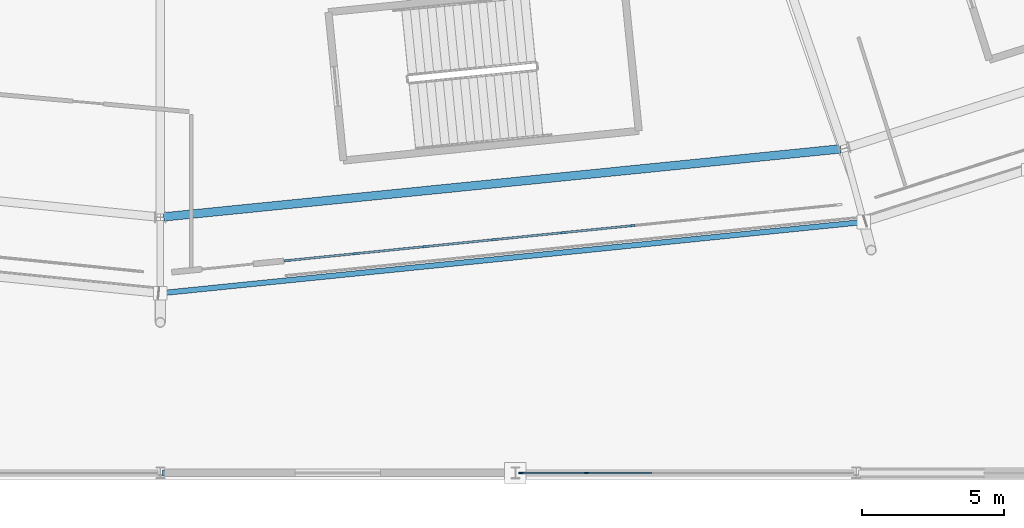
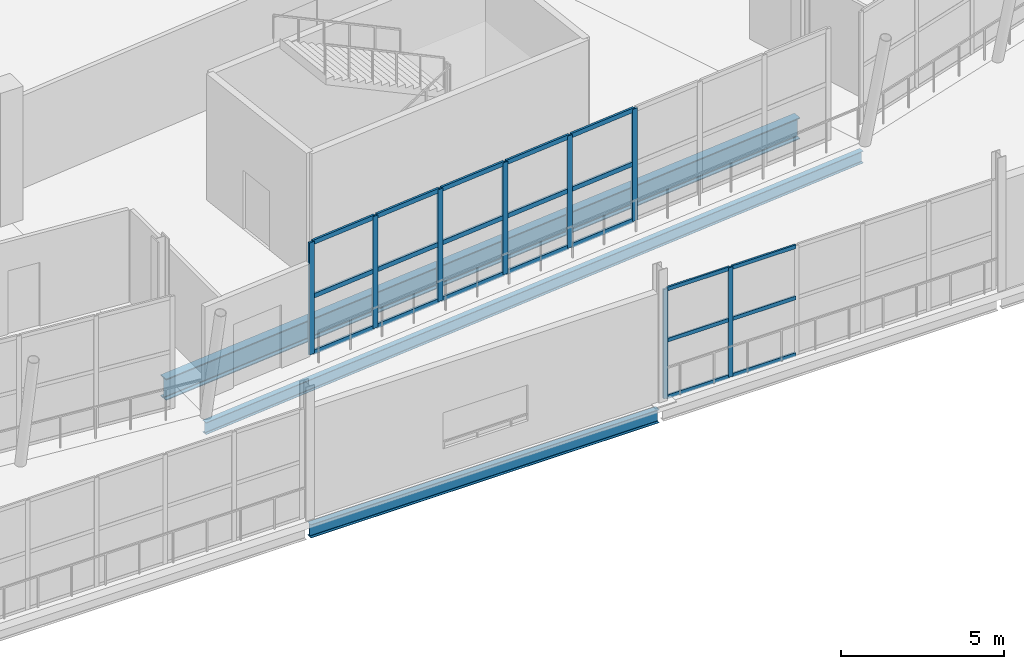
# One storey, part 37 of 179: 29 members, 3 beams, 2 elements without a shape of their own.
"""IFC4 building model written with IfcOpenShell, lengths in metres."""

import ifcopenshell
import ifcopenshell.guid

model = None  # the IFC model being written
_history = None  # IfcOwnerHistory: only IFC2X3 demands one
_inside = {}  # id of a spatial element -> (the spatial element, [elements in it])
_under = {}  # id of a project, library or spatial element -> (it, [spatial elements below it])
_declared = {}  # id of a project -> (the project, [libraries it declares])
_typed = {}  # id of a type object -> (the type object, [elements of that type])
_made_of = {}  # id of a material, layer set ... -> (it, [elements and type objects made of it])


def new_model(schema):
    """Start an empty IFC model of exactly this schema.

    Asked for "IFC4X3", IfcOpenShell would pick the latest addendum, in which some entities
    have other attributes; the version numbers below select the first issue.
    IFC2X3 requires an IfcOwnerHistory on every rooted entity: one is made here for all.
    """
    global model, _history
    if schema == "IFC4X3":
        model = ifcopenshell.file(schema_version=(4, 3, 0, 0))
    else:
        model = ifcopenshell.file(schema=schema)
    _inside.clear()
    _under.clear()
    _declared.clear()
    _typed.clear()
    _made_of.clear()
    _history = None
    if model.schema == "IFC2X3":
        org = make("IfcOrganization", Name="unknown")
        user = make(
            "IfcPersonAndOrganization",
            ThePerson=make("IfcPerson", FamilyName="unknown"),
            TheOrganization=org,
        )
        app = make(
            "IfcApplication",
            ApplicationDeveloper=org,
            Version="unknown",
            ApplicationFullName="unknown",
            ApplicationIdentifier="unknown",
        )
        _history = make(
            "IfcOwnerHistory",
            OwningUser=user,
            OwningApplication=app,
            ChangeAction="ADDED",
            CreationDate=0,
        )
    return model


def make(cls, **values):
    """One entity of the class cls with the attributes given. An attribute that is None is left unset."""
    return model.create_entity(
        cls, **{name: value for name, value in values.items() if value is not None}
    )


def rooted(cls, **values):
    """An entity with a GlobalId (a new one), such as an element, a storey or a relation."""
    return make(cls, GlobalId=ifcopenshell.guid.new(), OwnerHistory=_history, **values)


def si_unit(unit_type, name, prefix=None):
    """IfcSIUnit, for example si_unit("LENGTHUNIT", "METRE", prefix="MILLI")."""
    return make("IfcSIUnit", UnitType=unit_type, Prefix=prefix, Name=name)


def assignment(units):
    """IfcUnitAssignment: the units of a project."""
    return None if units is None else make("IfcUnitAssignment", Units=units)


def point(xyz):
    """IfcCartesianPoint."""
    return None if xyz is None else make("IfcCartesianPoint", Coordinates=xyz)


def direction(xyz):
    """IfcDirection."""
    return None if xyz is None else make("IfcDirection", DirectionRatios=xyz)


def frame(location, z_axis=None, x_axis=None):
    """IfcAxis2Placement3D, a coordinate frame: its origin and axes. An axis left out is left unset."""
    return make(
        "IfcAxis2Placement3D",
        Location=point(location),
        Axis=direction(z_axis),
        RefDirection=direction(x_axis),
    )


def frame_2d(location, x_axis=None):
    """IfcAxis2Placement2D, a coordinate frame in the plane: its origin and x axis."""
    return make(
        "IfcAxis2Placement2D", Location=point(location), RefDirection=direction(x_axis)
    )


def origin():
    """The frame at (0, 0, 0) with its axes left unset."""
    return frame((0.0, 0.0, 0.0))


def origin_2d():
    """The frame at (0, 0) in the plane with its x axis left unset."""
    return frame_2d((0.0, 0.0))


def place(relative_to, where):
    """IfcLocalPlacement: puts the frame where relative to a parent placement (None: the world)."""
    return make(
        "IfcLocalPlacement", PlacementRelTo=relative_to, RelativePlacement=where
    )


def context(
    kind, dimensions, precision=None, world=None, true_north=None, identifier=None
):
    """IfcGeometricRepresentationContext, for example the 3D "Model" context."""
    return make(
        "IfcGeometricRepresentationContext",
        ContextIdentifier=identifier,
        ContextType=kind,
        CoordinateSpaceDimension=dimensions,
        Precision=precision,
        WorldCoordinateSystem=world,
        TrueNorth=true_north,
    )


def subcontext(parent, identifier, kind, view, scale=None):
    """IfcGeometricRepresentationSubContext, for example "Body" below "Model"."""
    return make(
        "IfcGeometricRepresentationSubContext",
        ContextIdentifier=identifier,
        ContextType=kind,
        ParentContext=parent,
        TargetScale=scale,
        TargetView=view,
    )


def project(units=None, contexts=None):
    """IfcProject with its units and contexts."""
    return rooted(
        "IfcProject",
        Name="project",
        RepresentationContexts=contexts,
        UnitsInContext=assignment(units),
    )


def spatial(cls, under=None, at=None, **own):
    """A site, building, storey or space (cls), placed at a placement, below another one or the project."""
    s = rooted(cls, ObjectPlacement=at, **own)
    if under is not None:
        _under.setdefault(under.id(), (under, []))[1].append(s)
    return s


def profile(cls, at=None, kind="AREA", **sizes):
    """A parametric profile (cls). Its sizes go by their IFC names, for example OverallWidth=200.0."""
    return make(cls, ProfileType=kind, Position=at, **sizes)


def rectangle(**sizes):
    """IfcRectangleProfileDef."""
    return profile("IfcRectangleProfileDef", **sizes)


def i_section(**sizes):
    """IfcIShapeProfileDef."""
    return profile("IfcIShapeProfileDef", **sizes)


def extrude(swept, where, along, depth):
    """IfcExtrudedAreaSolid: the profile swept, set in the frame where, extruded along a direction by depth."""
    return make(
        "IfcExtrudedAreaSolid",
        SweptArea=swept,
        Position=where,
        ExtrudedDirection=direction(along),
        Depth=depth,
    )


def shape(context_of_items, identifier, shape_type, items):
    """IfcShapeRepresentation: the items that make up one representation, for example the "Body"."""
    return make(
        "IfcShapeRepresentation",
        ContextOfItems=context_of_items,
        RepresentationIdentifier=identifier,
        RepresentationType=shape_type,
        Items=items,
    )


def material(Name=None, Category=None):
    """IfcMaterial."""
    return make("IfcMaterial", Name=Name, Category=Category)


def material_profile(
    of_material, cross_section, Name=None, Category=None, Priority=None
):
    """IfcMaterialProfile: a cross section and its material."""
    return make(
        "IfcMaterialProfile",
        Name=Name,
        Material=of_material,
        Profile=cross_section,
        Priority=Priority,
        Category=Category,
    )


def profile_set(profiles, Name=None, composite=None):
    """IfcMaterialProfileSet."""
    return make(
        "IfcMaterialProfileSet",
        Name=Name,
        MaterialProfiles=profiles,
        CompositeProfile=composite,
    )


def made_of(thing, what):
    """Note that an element or type object is made of a material, layer set ...; save() writes the relation."""
    if what is not None:
        _made_of.setdefault(what.id(), (what, []))[1].append(thing)
    return thing


def type_object(cls, material=None, **own):
    """A type object (cls), such as IfcWallType, which elements share."""
    return made_of(rooted(cls, **own), material)


def element(
    cls,
    number,
    at=None,
    inside=None,
    cuts=None,
    type_object=None,
    material=None,
    context=None,
    identifier="Body",
    shape_type=None,
    held_by="IfcProductDefinitionShape",
    body=None,
    shapes=None,
    **own,
):
    """One element of the class cls, such as IfcWall. Its Tag is "e" and its number.

    at: its placement. inside: the storey or other place that contains it. cuts: it is an
    opening in that element (IfcRelVoidsElement). A single representation is given by context,
    identifier, shape_type and body (its items); several are given by shapes. held_by: the class
    of the entity that holds the representations. save() writes the other relations.
    """
    e = rooted(cls, Tag="e%d" % number, ObjectPlacement=at, **own)
    if body is not None:
        shapes = [shape(context, identifier, shape_type, body)]
    if shapes is not None:
        e.Representation = make(held_by, Representations=shapes)
    if inside is not None:
        _inside.setdefault(inside.id(), (inside, []))[1].append(e)
    if cuts is not None:
        rooted(
            "IfcRelVoidsElement", RelatingBuildingElement=cuts, RelatedOpeningElement=e
        )
    if type_object is not None:
        _typed.setdefault(type_object.id(), (type_object, []))[1].append(e)
    return made_of(e, material)


def aggregate(whole, parts):
    """IfcRelAggregates: a whole, such as a stair, and the parts it consists of."""
    return rooted("IfcRelAggregates", RelatingObject=whole, RelatedObjects=parts)


def save(model, path):
    """Write the relations noted so far, then the file.

    IfcRelAggregates (storeys below a building ...), IfcRelContainedInSpatialStructure (elements
    in a storey), IfcRelDefinesByType, IfcRelAssociatesMaterial and IfcRelDeclares: one each for
    every whole, place, type object, material and project.
    """
    for whole, parts in _under.values():
        aggregate(whole, parts)
    for where, things in _inside.values():
        rooted(
            "IfcRelContainedInSpatialStructure",
            RelatedElements=things,
            RelatingStructure=where,
        )
    for kind, things in _typed.values():
        rooted("IfcRelDefinesByType", RelatedObjects=things, RelatingType=kind)
    for what, things in _made_of.values():
        rooted("IfcRelAssociatesMaterial", RelatedObjects=things, RelatingMaterial=what)
    for by, libraries in _declared.values():
        rooted("IfcRelDeclares", RelatingContext=by, RelatedDefinitions=libraries)
    model.write(path)


model = new_model("IFC4")

# Units and contexts
model_context = context("Model", 3, precision=1e-05, world=origin(), true_north=direction((0.0, 1.0)))
body_context = subcontext(model_context, "Body", "Model", "MODEL_VIEW")
ifc_project = project(units=[si_unit("LENGTHUNIT", "METRE"), si_unit("AREAUNIT", "SQUARE_METRE"), si_unit("VOLUMEUNIT", "CUBIC_METRE"), si_unit("PLANEANGLEUNIT", "RADIAN"), si_unit("MASSUNIT", "GRAM", prefix="KILO")], contexts=[model_context])

# Site, building, storey
site_placement = place(None, origin())
site = spatial("IfcSite", under=ifc_project, at=site_placement, CompositionType="ELEMENT")
building_placement = place(site_placement, origin())
building = spatial("IfcBuilding", under=site, at=building_placement, Name="Zlatoyarsky Gate Stadium", CompositionType="ELEMENT")
storey_placement = place(building_placement, frame((0.0, 0.0, 10.60009765625)))
storey = spatial("IfcBuildingStorey", under=building, at=storey_placement, Name="L02", CompositionType="ELEMENT", Elevation=10.60009765625)

# Curtain wall, members
ifc_material_1 = material(Name="Thermally broken anodised aluminium curtain wall", Category="aluminium")
curtain_wall_type_1 = type_object("IfcCurtainWallType", Name="MONUMENTAL ARCHED GATE GLAZING UPPER", PredefinedType="USERDEFINED", material=ifc_material_1)
curtain_wall_1_placement = place(storey_placement, origin())
curtain_wall_1 = element("IfcCurtainWall", 1, at=curtain_wall_1_placement, inside=storey, type_object=curtain_wall_type_1, Name="Curtain wall CW-L02-18", ObjectType="ARCHED GATE GLAZING", PredefinedType="USERDEFINED")
ifc_material_2 = material(Name="Anodised aluminium 6063-T6", Category="aluminium")
ifc_material_profile_1 = material_profile(ifc_material_2, rectangle(XDim=0.074951171875, YDim=0.18994140625, at=origin_2d()), Name="ALU 75X190")
ifc_profile_set_1 = profile_set([ifc_material_profile_1], Name="Anodised aluminium 6063-T6")
member_type_1 = type_object("IfcMemberType", Name="ALUMINIUM GATE MULLION 75X190", PredefinedType="MULLION", material=ifc_profile_set_1)
member_1_placement = place(storey_placement, frame((115.464599609375, 7.475830078125, 0.0), z_axis=(0.0, 0.0, 1.0), x_axis=(-0.100642363208, 0.994922667712, 0.0)))
member_1 = element("IfcMember", 2, at=member_1_placement, type_object=member_type_1, Name="CW-AG2 mullion 1", PredefinedType="MULLION", context=body_context, shape_type="SweptSolid", body=[
    extrude(rectangle(XDim=0.074951171875, YDim=0.18994140625, at=origin_2d()), origin(), (0.0, 0.0, 1.0), 4.199951171875),
])
member_2_placement = place(storey_placement, frame((117.86572265625, 7.71875, 0.0), z_axis=(0.0, 0.0, 1.0), x_axis=(-0.100642363208, 0.994922667712, 0.0)))
member_2 = element("IfcMember", 3, at=member_2_placement, type_object=member_type_1, Name="CW-AG2 mullion 2", PredefinedType="MULLION", context=body_context, shape_type="SweptSolid", body=[
    extrude(rectangle(XDim=0.074951171875, YDim=0.18994140625, at=origin_2d()), origin(), (0.0, 0.0, 1.0), 4.199951171875),
])
member_3_placement = place(storey_placement, frame((120.30419921875, 7.96533203125, 0.0), z_axis=(0.0, 0.0, 1.0), x_axis=(-0.100642363208, 0.994922667712, 0.0)))
member_3 = element("IfcMember", 4, at=member_3_placement, type_object=member_type_1, Name="CW-AG2 mullion 3", PredefinedType="MULLION", context=body_context, shape_type="SweptSolid", body=[
    extrude(rectangle(XDim=0.074951171875, YDim=0.18994140625, at=origin_2d()), origin(), (0.0, 0.0, 1.0), 4.199951171875),
])
member_4_placement = place(storey_placement, frame((122.74267578125, 8.2119140625, 0.0), z_axis=(0.0, 0.0, 1.0), x_axis=(-0.100642363208, 0.994922667712, 0.0)))
member_4 = element("IfcMember", 5, at=member_4_placement, type_object=member_type_1, Name="CW-AG2 mullion 4", PredefinedType="MULLION", context=body_context, shape_type="SweptSolid", body=[
    extrude(rectangle(XDim=0.074951171875, YDim=0.18994140625, at=origin_2d()), origin(), (0.0, 0.0, 1.0), 4.199951171875),
])
member_5_placement = place(storey_placement, frame((125.18115234375, 8.458740234375, 0.0), z_axis=(0.0, 0.0, 1.0), x_axis=(-0.100642363208, 0.994922667712, 0.0)))
member_5 = element("IfcMember", 6, at=member_5_placement, type_object=member_type_1, Name="CW-AG2 mullion 5", PredefinedType="MULLION", context=body_context, shape_type="SweptSolid", body=[
    extrude(rectangle(XDim=0.074951171875, YDim=0.18994140625, at=origin_2d()), origin(), (0.0, 0.0, 1.0), 4.199951171875),
])
member_6_placement = place(storey_placement, frame((127.61962890625, 8.705322265625, 0.0), z_axis=(0.0, 0.0, 1.0), x_axis=(-0.100642363208, 0.994922667712, 0.0)))
member_6 = element("IfcMember", 7, at=member_6_placement, type_object=member_type_1, Name="CW-AG2 mullion 6", PredefinedType="MULLION", context=body_context, shape_type="SweptSolid", body=[
    extrude(rectangle(XDim=0.074951171875, YDim=0.18994140625, at=origin_2d()), origin(), (0.0, 0.0, 1.0), 4.199951171875),
])
ifc_material_profile_2 = material_profile(ifc_material_2, rectangle(XDim=0.074951171875, YDim=0.169921875, at=origin_2d()), Name="ALU 75X170")
ifc_profile_set_2 = profile_set([ifc_material_profile_2], Name="Anodised aluminium 6063-T6")
member_type_2 = type_object("IfcMemberType", Name="ALUMINIUM GATE TRANSOM 75X170", PredefinedType="USERDEFINED", material=ifc_profile_set_2)
member_7_placement = place(storey_placement, frame((115.501953125, 7.4794921875, 0.037353515625), z_axis=(0.994922838656, 0.100640673291, 0.0), x_axis=(-0.100640673291, 0.994922838656, 0.0)))
member_7 = element("IfcMember", 8, at=member_7_placement, type_object=member_type_2, Name="CW-AG2 transom 1.1", ObjectType="TRANSOM", PredefinedType="USERDEFINED", context=body_context, shape_type="SweptSolid", body=[
    extrude(rectangle(XDim=0.074951171875, YDim=0.169921875, at=origin_2d()), origin(), (0.0, 0.0, 1.0), 2.338623046875),
])
member_8_placement = place(storey_placement, frame((115.501953125, 7.4794921875, 2.14990234375), z_axis=(0.994922838656, 0.100640673291, 0.0), x_axis=(-0.100640673291, 0.994922838656, 0.0)))
member_8 = element("IfcMember", 9, at=member_8_placement, type_object=member_type_2, Name="CW-AG2 transom 1.2", ObjectType="TRANSOM", PredefinedType="USERDEFINED", context=body_context, shape_type="SweptSolid", body=[
    extrude(rectangle(XDim=0.074951171875, YDim=0.169921875, at=origin_2d()), origin(), (0.0, 0.0, 1.0), 2.338623046875),
])
member_9_placement = place(storey_placement, frame((115.501953125, 7.4794921875, 4.162353515625), z_axis=(0.994922838656, 0.100640673291, 0.0), x_axis=(-0.100640673291, 0.994922838656, 0.0)))
member_9 = element("IfcMember", 10, at=member_9_placement, type_object=member_type_2, Name="CW-AG2 transom 1.3", ObjectType="TRANSOM", PredefinedType="USERDEFINED", context=body_context, shape_type="SweptSolid", body=[
    extrude(rectangle(XDim=0.074951171875, YDim=0.169921875, at=origin_2d()), origin(), (0.0, 0.0, 1.0), 2.338623046875),
])
member_10_placement = place(storey_placement, frame((117.903076171875, 7.722412109375, 0.037353515625), z_axis=(0.994916410424, 0.10070420184, 0.0), x_axis=(-0.10070420184, 0.994916410424, 0.0)))
member_10 = element("IfcMember", 11, at=member_10_placement, type_object=member_type_2, Name="CW-AG2 transom 2.1", ObjectType="TRANSOM", PredefinedType="USERDEFINED", context=body_context, shape_type="SweptSolid", body=[
    extrude(rectangle(XDim=0.074951171875, YDim=0.169921875, at=origin_2d()), origin(), (0.0, 0.0, 1.0), 2.375732421875),
])
member_11_placement = place(storey_placement, frame((117.903076171875, 7.722412109375, 2.14990234375), z_axis=(0.994916410424, 0.10070420184, 0.0), x_axis=(-0.10070420184, 0.994916410424, 0.0)))
member_11 = element("IfcMember", 12, at=member_11_placement, type_object=member_type_2, Name="CW-AG2 transom 2.2", ObjectType="TRANSOM", PredefinedType="USERDEFINED", context=body_context, shape_type="SweptSolid", body=[
    extrude(rectangle(XDim=0.074951171875, YDim=0.169921875, at=origin_2d()), origin(), (0.0, 0.0, 1.0), 2.375732421875),
])
member_12_placement = place(storey_placement, frame((117.903076171875, 7.722412109375, 4.162353515625), z_axis=(0.994916410424, 0.10070420184, 0.0), x_axis=(-0.10070420184, 0.994916410424, 0.0)))
member_12 = element("IfcMember", 13, at=member_12_placement, type_object=member_type_2, Name="CW-AG2 transom 2.3", ObjectType="TRANSOM", PredefinedType="USERDEFINED", context=body_context, shape_type="SweptSolid", body=[
    extrude(rectangle(XDim=0.074951171875, YDim=0.169921875, at=origin_2d()), origin(), (0.0, 0.0, 1.0), 2.375732421875),
])
member_13_placement = place(storey_placement, frame((120.341552734375, 7.968994140625, 0.037353515625), z_axis=(0.994916410424, 0.10070420184, 0.0), x_axis=(-0.10070420184, 0.994916410424, 0.0)))
member_13 = element("IfcMember", 14, at=member_13_placement, type_object=member_type_2, Name="CW-AG2 transom 3.1", ObjectType="TRANSOM", PredefinedType="USERDEFINED", context=body_context, shape_type="SweptSolid", body=[
    extrude(rectangle(XDim=0.074951171875, YDim=0.169921875, at=origin_2d()), origin(), (0.0, 0.0, 1.0), 2.375732421875),
])
member_14_placement = place(storey_placement, frame((120.341552734375, 7.968994140625, 2.14990234375), z_axis=(0.994916410424, 0.10070420184, 0.0), x_axis=(-0.10070420184, 0.994916410424, 0.0)))
member_14 = element("IfcMember", 15, at=member_14_placement, type_object=member_type_2, Name="CW-AG2 transom 3.2", ObjectType="TRANSOM", PredefinedType="USERDEFINED", context=body_context, shape_type="SweptSolid", body=[
    extrude(rectangle(XDim=0.074951171875, YDim=0.169921875, at=origin_2d()), origin(), (0.0, 0.0, 1.0), 2.375732421875),
])
member_15_placement = place(storey_placement, frame((120.341552734375, 7.968994140625, 4.162353515625), z_axis=(0.994916410424, 0.10070420184, 0.0), x_axis=(-0.10070420184, 0.994916410424, 0.0)))
member_15 = element("IfcMember", 16, at=member_15_placement, type_object=member_type_2, Name="CW-AG2 transom 3.3", ObjectType="TRANSOM", PredefinedType="USERDEFINED", context=body_context, shape_type="SweptSolid", body=[
    extrude(rectangle(XDim=0.074951171875, YDim=0.169921875, at=origin_2d()), origin(), (0.0, 0.0, 1.0), 2.375732421875),
])
member_16_placement = place(storey_placement, frame((122.780029296875, 8.2158203125, 0.037353515625), z_axis=(0.994926701027, 0.10060248299, 0.0), x_axis=(-0.10060248299, 0.994926701027, 0.0)))
member_16 = element("IfcMember", 17, at=member_16_placement, type_object=member_type_2, Name="CW-AG2 transom 4.1", ObjectType="TRANSOM", PredefinedType="USERDEFINED", context=body_context, shape_type="SweptSolid", body=[
    extrude(rectangle(XDim=0.074951171875, YDim=0.169921875, at=origin_2d()), origin(), (0.0, 0.0, 1.0), 2.375732421875),
])
member_17_placement = place(storey_placement, frame((122.780029296875, 8.2158203125, 2.14990234375), z_axis=(0.994926701027, 0.10060248299, 0.0), x_axis=(-0.10060248299, 0.994926701027, 0.0)))
member_17 = element("IfcMember", 18, at=member_17_placement, type_object=member_type_2, Name="CW-AG2 transom 4.2", ObjectType="TRANSOM", PredefinedType="USERDEFINED", context=body_context, shape_type="SweptSolid", body=[
    extrude(rectangle(XDim=0.074951171875, YDim=0.169921875, at=origin_2d()), origin(), (0.0, 0.0, 1.0), 2.375732421875),
])
member_18_placement = place(storey_placement, frame((122.780029296875, 8.2158203125, 4.162353515625), z_axis=(0.994926701027, 0.10060248299, 0.0), x_axis=(-0.10060248299, 0.994926701027, 0.0)))
member_18 = element("IfcMember", 19, at=member_18_placement, type_object=member_type_2, Name="CW-AG2 transom 4.3", ObjectType="TRANSOM", PredefinedType="USERDEFINED", context=body_context, shape_type="SweptSolid", body=[
    extrude(rectangle(XDim=0.074951171875, YDim=0.169921875, at=origin_2d()), origin(), (0.0, 0.0, 1.0), 2.375732421875),
])
member_19_placement = place(storey_placement, frame((125.218505859375, 8.46240234375, 0.037353515625), z_axis=(0.994916410424, 0.10070420184, 0.0), x_axis=(-0.10070420184, 0.994916410424, 0.0)))
member_19 = element("IfcMember", 20, at=member_19_placement, type_object=member_type_2, Name="CW-AG2 transom 5.1", ObjectType="TRANSOM", PredefinedType="USERDEFINED", context=body_context, shape_type="SweptSolid", body=[
    extrude(rectangle(XDim=0.074951171875, YDim=0.169921875, at=origin_2d()), origin(), (0.0, 0.0, 1.0), 2.375732421875),
])
member_20_placement = place(storey_placement, frame((125.218505859375, 8.46240234375, 2.14990234375), z_axis=(0.994916410424, 0.10070420184, 0.0), x_axis=(-0.10070420184, 0.994916410424, 0.0)))
member_20 = element("IfcMember", 21, at=member_20_placement, type_object=member_type_2, Name="CW-AG2 transom 5.2", ObjectType="TRANSOM", PredefinedType="USERDEFINED", context=body_context, shape_type="SweptSolid", body=[
    extrude(rectangle(XDim=0.074951171875, YDim=0.169921875, at=origin_2d()), origin(), (0.0, 0.0, 1.0), 2.375732421875),
])
member_21_placement = place(storey_placement, frame((125.218505859375, 8.46240234375, 4.162353515625), z_axis=(0.994916410424, 0.10070420184, 0.0), x_axis=(-0.10070420184, 0.994916410424, 0.0)))
member_21 = element("IfcMember", 22, at=member_21_placement, type_object=member_type_2, Name="CW-AG2 transom 5.3", ObjectType="TRANSOM", PredefinedType="USERDEFINED", context=body_context, shape_type="SweptSolid", body=[
    extrude(rectangle(XDim=0.074951171875, YDim=0.169921875, at=origin_2d()), origin(), (0.0, 0.0, 1.0), 2.375732421875),
])
aggregate(curtain_wall_1, [member_1, member_2, member_3, member_4, member_5, member_6, member_7, member_8, member_9, member_10, member_11, member_12, member_13, member_14, member_15, member_16, member_17, member_18, member_19, member_20, member_21])

curtain_wall_type_2 = type_object("IfcCurtainWallType", Name="WINTER GARDEN CONSERVATORY GLAZING", PredefinedType="USERDEFINED", material=ifc_material_1)
curtain_wall_2_placement = place(storey_placement, origin())
curtain_wall_2 = element("IfcCurtainWall", 23, at=curtain_wall_2_placement, inside=storey, type_object=curtain_wall_type_2, Name="Curtain wall CW-V3_SOUTH-L02-163", ObjectType="UNITISED GLAZING", PredefinedType="USERDEFINED")
ifc_material_profile_3 = material_profile(ifc_material_2, rectangle(XDim=0.06494140625, YDim=0.159912109375, at=origin_2d()), Name="ALU 65X160")
ifc_profile_set_3 = profile_set([ifc_material_profile_3], Name="Anodised aluminium 6063-T6")
member_type_3 = type_object("IfcMemberType", Name="ALUMINIUM MULLION 65X160", PredefinedType="MULLION", material=ifc_profile_set_3)
member_22_placement = place(storey_placement, frame((123.694580078125, 0.0, 0.0), z_axis=(0.0, 0.0, 1.0), x_axis=(0.0, 1.0, 0.0)))
member_22 = element("IfcMember", 24, at=member_22_placement, type_object=member_type_3, Name="CW-WG1 mullion 1", PredefinedType="MULLION", context=body_context, shape_type="SweptSolid", body=[
    extrude(rectangle(XDim=0.06494140625, YDim=0.159912109375, at=origin_2d()), origin(), (0.0, 0.0, 1.0), 4.099853515625),
])
member_23_placement = place(storey_placement, frame((125.997314453125, 0.0, 0.0), z_axis=(0.0, 0.0, 1.0), x_axis=(0.0, 1.0, 0.0)))
member_23 = element("IfcMember", 25, at=member_23_placement, type_object=member_type_3, Name="CW-WG1 mullion 2", PredefinedType="MULLION", context=body_context, shape_type="SweptSolid", body=[
    extrude(rectangle(XDim=0.06494140625, YDim=0.159912109375, at=origin_2d()), origin(), (0.0, 0.0, 1.0), 4.099853515625),
])
ifc_material_profile_4 = material_profile(ifc_material_2, rectangle(XDim=0.06494140625, YDim=0.139892578125, at=origin_2d()), Name="ALU 65X140")
ifc_profile_set_4 = profile_set([ifc_material_profile_4], Name="Anodised aluminium 6063-T6")
member_type_4 = type_object("IfcMemberType", Name="ALUMINIUM TRANSOM 65X140", PredefinedType="USERDEFINED", material=ifc_profile_set_4)
member_24_placement = place(storey_placement, frame((123.72705078125, 0.0, 0.032470703125), z_axis=(1.0, 0.0, 0.0), x_axis=(0.0, 1.0, 0.0)))
member_24 = element("IfcMember", 26, at=member_24_placement, type_object=member_type_4, Name="CW-WG1 transom 1.1", ObjectType="TRANSOM", PredefinedType="USERDEFINED", context=body_context, shape_type="SweptSolid", body=[
    extrude(rectangle(XDim=0.06494140625, YDim=0.139892578125, at=origin_2d()), origin(), (0.0, 0.0, 1.0), 2.237548828125),
])
member_25_placement = place(storey_placement, frame((123.72705078125, 0.0, 2.14990234375), z_axis=(1.0, 0.0, 0.0), x_axis=(0.0, 1.0, 0.0)))
member_25 = element("IfcMember", 27, at=member_25_placement, type_object=member_type_4, Name="CW-WG1 transom 1.2", ObjectType="TRANSOM", PredefinedType="USERDEFINED", context=body_context, shape_type="SweptSolid", body=[
    extrude(rectangle(XDim=0.06494140625, YDim=0.139892578125, at=origin_2d()), origin(), (0.0, 0.0, 1.0), 2.237548828125),
])
member_26_placement = place(storey_placement, frame((123.72705078125, 0.0, 4.0673828125), z_axis=(1.0, 0.0, 0.0), x_axis=(0.0, 1.0, 0.0)))
member_26 = element("IfcMember", 28, at=member_26_placement, type_object=member_type_4, Name="CW-WG1 transom 1.3", ObjectType="TRANSOM", PredefinedType="USERDEFINED", context=body_context, shape_type="SweptSolid", body=[
    extrude(rectangle(XDim=0.06494140625, YDim=0.139892578125, at=origin_2d()), origin(), (0.0, 0.0, 1.0), 2.237548828125),
])
member_27_placement = place(storey_placement, frame((126.02978515625, 0.0, 0.032470703125), z_axis=(1.0, 0.0, 0.0), x_axis=(0.0, 1.0, 0.0)))
member_27 = element("IfcMember", 29, at=member_27_placement, type_object=member_type_4, Name="CW-WG1 transom 2.1", ObjectType="TRANSOM", PredefinedType="USERDEFINED", context=body_context, shape_type="SweptSolid", body=[
    extrude(rectangle(XDim=0.06494140625, YDim=0.139892578125, at=origin_2d()), origin(), (0.0, 0.0, 1.0), 2.27001953125),
])
member_28_placement = place(storey_placement, frame((126.02978515625, 0.0, 2.14990234375), z_axis=(1.0, 0.0, 0.0), x_axis=(0.0, 1.0, 0.0)))
member_28 = element("IfcMember", 30, at=member_28_placement, type_object=member_type_4, Name="CW-WG1 transom 2.2", ObjectType="TRANSOM", PredefinedType="USERDEFINED", context=body_context, shape_type="SweptSolid", body=[
    extrude(rectangle(XDim=0.06494140625, YDim=0.139892578125, at=origin_2d()), origin(), (0.0, 0.0, 1.0), 2.27001953125),
])
member_29_placement = place(storey_placement, frame((126.02978515625, 0.0, 4.0673828125), z_axis=(1.0, 0.0, 0.0), x_axis=(0.0, 1.0, 0.0)))
member_29 = element("IfcMember", 31, at=member_29_placement, type_object=member_type_4, Name="CW-WG1 transom 2.3", ObjectType="TRANSOM", PredefinedType="USERDEFINED", context=body_context, shape_type="SweptSolid", body=[
    extrude(rectangle(XDim=0.06494140625, YDim=0.139892578125, at=origin_2d()), origin(), (0.0, 0.0, 1.0), 2.27001953125),
])
aggregate(curtain_wall_2, [member_22, member_23, member_24, member_25, member_26, member_27, member_28, member_29])

# Beams
ifc_material_3 = material(Name="Steel S355", Category="steel")
ifc_material_profile_5 = material_profile(ifc_material_3, i_section(OverallWidth=0.18994140625, OverallDepth=0.449951171875, WebThickness=0.009521484375, FlangeThickness=0.0146484375, FilletRadius=0.02099609375, at=origin_2d()), Name="IPE 450")
ifc_profile_set_5 = profile_set([ifc_material_profile_5], Name="Steel S355")
beam_type_1 = type_object("IfcBeamType", Name="STEEL EDGE SPANDREL IPE 450", PredefinedType="SPANDREL", material=ifc_profile_set_5)
beam_1_placement = place(storey_placement, frame((111.02001953125, 6.326171875, -0.505126953125), z_axis=(0.994900567016, 0.10086060555, 0.0), x_axis=(-0.10086060555, 0.994900567016, 0.0)))
element("IfcBeam", 32, at=beam_1_placement, inside=storey, type_object=beam_type_1, Name="Beam SP-IPE450 BM-L02-SPD-18", PredefinedType="SPANDREL", context=body_context, shape_type="SweptSolid", body=[
    extrude(i_section(OverallWidth=0.18994140625, OverallDepth=0.449951171875, WebThickness=0.009521484375, FlangeThickness=0.0146484375, FilletRadius=0.02099609375, at=origin_2d()), origin(), (0.0, 0.0, 1.0), 24.849609375),
])
ifc_material_profile_6 = material_profile(ifc_material_3, i_section(OverallWidth=0.199951171875, OverallDepth=0.5, WebThickness=0.01025390625, FlangeThickness=0.01611328125, FilletRadius=0.02099609375, at=origin_2d()), Name="IPE 500")
ifc_profile_set_6 = profile_set([ifc_material_profile_6], Name="Steel S355")
beam_type_2 = type_object("IfcBeamType", Name="STEEL FLOOR BEAM IPE 500", PredefinedType="BEAM", material=ifc_profile_set_6)
beam_2_placement = place(storey_placement, frame((111.080078125, 0.0, -0.530029296875), z_axis=(1.0, 0.0, 0.0), x_axis=(0.0, 1.0, 0.0)))
element("IfcBeam", 33, at=beam_2_placement, inside=storey, type_object=beam_type_2, Name="Beam B-IPE500 BM-L02-WGX-10-A", PredefinedType="BEAM", context=body_context, shape_type="SweptSolid", body=[
    extrude(i_section(OverallWidth=0.199951171875, OverallDepth=0.5, WebThickness=0.01025390625, FlangeThickness=0.01611328125, FilletRadius=0.02099609375, at=origin_2d()), origin(), (0.0, 0.0, 1.0), 12.33984375),
])
ifc_material_profile_7 = material_profile(ifc_material_3, i_section(OverallWidth=0.300048828125, OverallDepth=0.800048828125, WebThickness=0.017578125, FlangeThickness=0.032958984375, FilletRadius=0.030029296875, at=origin_2d()), Name="HEB 800")
ifc_profile_set_7 = profile_set([ifc_material_profile_7], Name="Steel S355")
beam_type_3 = type_object("IfcBeamType", Name="STEEL PRIMARY GIRDER HEB 800", PredefinedType="BEAM", material=ifc_profile_set_7)
beam_3_placement = place(storey_placement, frame((111.119384765625, 9.011962890625, -0.68017578125), z_axis=(0.994986905268, 0.100005291586, 0.0), x_axis=(-0.100005291586, 0.994986905268, 0.0)))
element("IfcBeam", 34, at=beam_3_placement, inside=storey, type_object=beam_type_3, Name="Beam G-HEB800 BM-L02-CRC-18", PredefinedType="BEAM", context=body_context, shape_type="SweptSolid", body=[
    extrude(i_section(OverallWidth=0.300048828125, OverallDepth=0.800048828125, WebThickness=0.017578125, FlangeThickness=0.032958984375, FilletRadius=0.030029296875, at=origin_2d()), origin(), (0.0, 0.0, 1.0), 23.951416015625),
])

save(model, "model.ifc")
